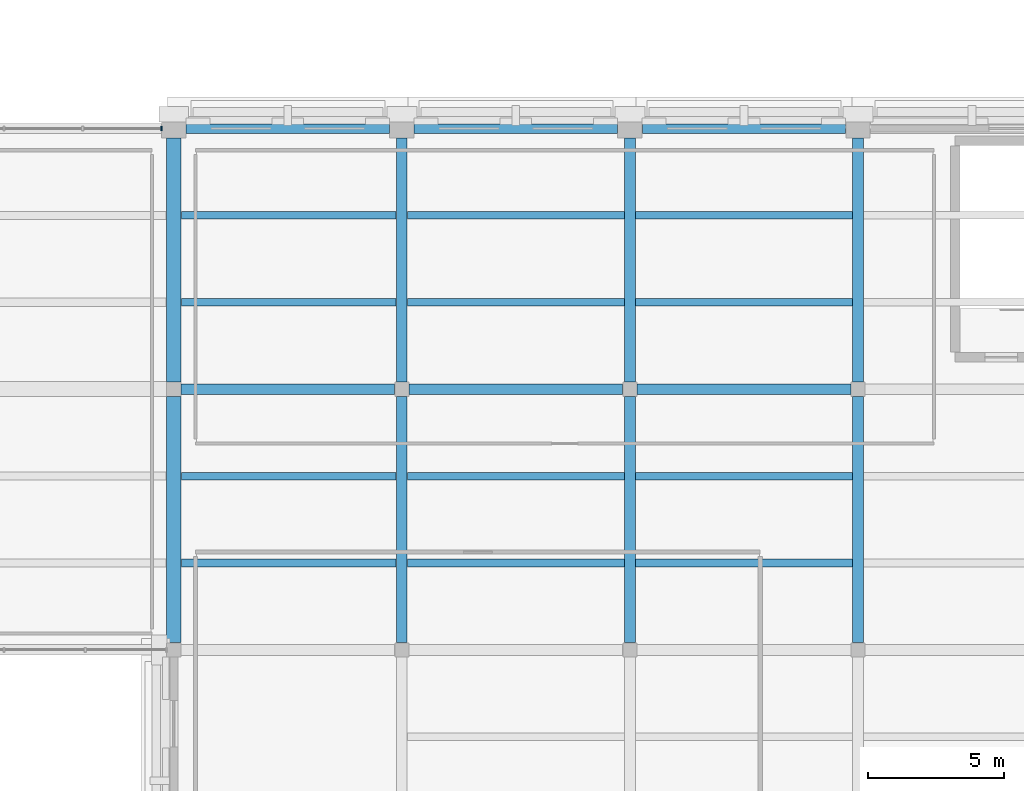
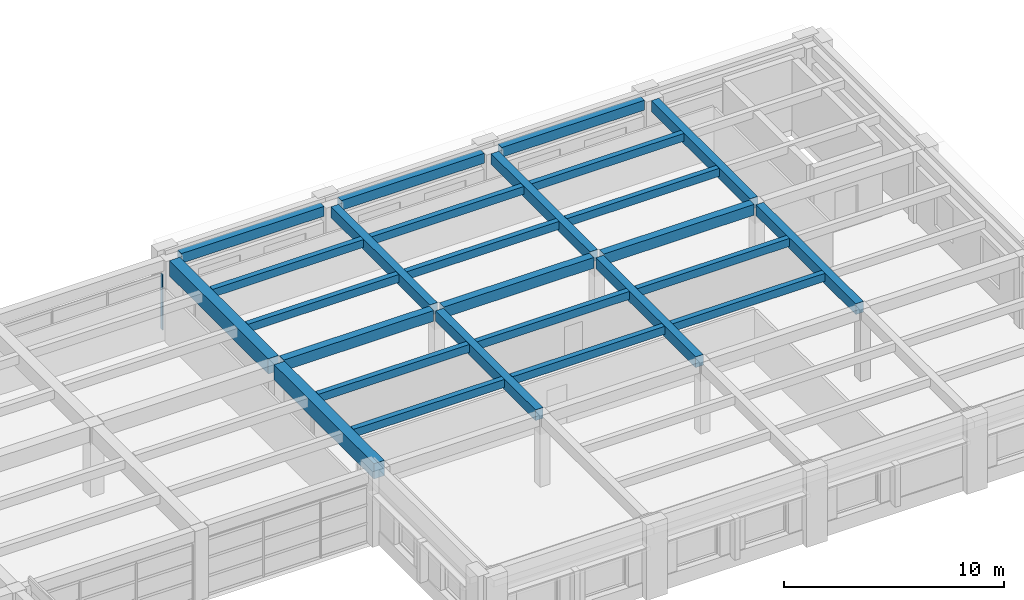
# One storey, part 28 of 62: 26 beams, 1 member, 1 element without a shape of its own.
"""IFC4 building model written with IfcOpenShell, lengths in metres."""

import ifcopenshell
import ifcopenshell.guid

model = None  # the IFC model being written
_history = None  # IfcOwnerHistory: only IFC2X3 demands one
_inside = {}  # id of a spatial element -> (the spatial element, [elements in it])
_under = {}  # id of a project, library or spatial element -> (it, [spatial elements below it])
_declared = {}  # id of a project -> (the project, [libraries it declares])
_typed = {}  # id of a type object -> (the type object, [elements of that type])
_made_of = {}  # id of a material, layer set ... -> (it, [elements and type objects made of it])


def new_model(schema):
    """Start an empty IFC model of exactly this schema.

    Asked for "IFC4X3", IfcOpenShell would pick the latest addendum, in which some entities
    have other attributes; the version numbers below select the first issue.
    IFC2X3 requires an IfcOwnerHistory on every rooted entity: one is made here for all.
    """
    global model, _history
    if schema == "IFC4X3":
        model = ifcopenshell.file(schema_version=(4, 3, 0, 0))
    else:
        model = ifcopenshell.file(schema=schema)
    _inside.clear()
    _under.clear()
    _declared.clear()
    _typed.clear()
    _made_of.clear()
    _history = None
    if model.schema == "IFC2X3":
        org = make("IfcOrganization", Name="unknown")
        user = make(
            "IfcPersonAndOrganization",
            ThePerson=make("IfcPerson", FamilyName="unknown"),
            TheOrganization=org,
        )
        app = make(
            "IfcApplication",
            ApplicationDeveloper=org,
            Version="unknown",
            ApplicationFullName="unknown",
            ApplicationIdentifier="unknown",
        )
        _history = make(
            "IfcOwnerHistory",
            OwningUser=user,
            OwningApplication=app,
            ChangeAction="ADDED",
            CreationDate=0,
        )
    return model


def make(cls, **values):
    """One entity of the class cls with the attributes given. An attribute that is None is left unset."""
    return model.create_entity(
        cls, **{name: value for name, value in values.items() if value is not None}
    )


def rooted(cls, **values):
    """An entity with a GlobalId (a new one), such as an element, a storey or a relation."""
    return make(cls, GlobalId=ifcopenshell.guid.new(), OwnerHistory=_history, **values)


def si_unit(unit_type, name, prefix=None):
    """IfcSIUnit, for example si_unit("LENGTHUNIT", "METRE", prefix="MILLI")."""
    return make("IfcSIUnit", UnitType=unit_type, Prefix=prefix, Name=name)


def assignment(units):
    """IfcUnitAssignment: the units of a project."""
    return None if units is None else make("IfcUnitAssignment", Units=units)


def point(xyz):
    """IfcCartesianPoint."""
    return None if xyz is None else make("IfcCartesianPoint", Coordinates=xyz)


def direction(xyz):
    """IfcDirection."""
    return None if xyz is None else make("IfcDirection", DirectionRatios=xyz)


def frame(location, z_axis=None, x_axis=None):
    """IfcAxis2Placement3D, a coordinate frame: its origin and axes. An axis left out is left unset."""
    return make(
        "IfcAxis2Placement3D",
        Location=point(location),
        Axis=direction(z_axis),
        RefDirection=direction(x_axis),
    )


def frame_2d(location, x_axis=None):
    """IfcAxis2Placement2D, a coordinate frame in the plane: its origin and x axis."""
    return make(
        "IfcAxis2Placement2D", Location=point(location), RefDirection=direction(x_axis)
    )


def origin():
    """The frame at (0, 0, 0) with its axes left unset."""
    return frame((0.0, 0.0, 0.0))


def origin_2d():
    """The frame at (0, 0) in the plane with its x axis left unset."""
    return frame_2d((0.0, 0.0))


def place(relative_to, where):
    """IfcLocalPlacement: puts the frame where relative to a parent placement (None: the world)."""
    return make(
        "IfcLocalPlacement", PlacementRelTo=relative_to, RelativePlacement=where
    )


def context(
    kind, dimensions, precision=None, world=None, true_north=None, identifier=None
):
    """IfcGeometricRepresentationContext, for example the 3D "Model" context."""
    return make(
        "IfcGeometricRepresentationContext",
        ContextIdentifier=identifier,
        ContextType=kind,
        CoordinateSpaceDimension=dimensions,
        Precision=precision,
        WorldCoordinateSystem=world,
        TrueNorth=true_north,
    )


def subcontext(parent, identifier, kind, view, scale=None):
    """IfcGeometricRepresentationSubContext, for example "Body" below "Model"."""
    return make(
        "IfcGeometricRepresentationSubContext",
        ContextIdentifier=identifier,
        ContextType=kind,
        ParentContext=parent,
        TargetScale=scale,
        TargetView=view,
    )


def project(units=None, contexts=None):
    """IfcProject with its units and contexts."""
    return rooted(
        "IfcProject",
        Name="project",
        RepresentationContexts=contexts,
        UnitsInContext=assignment(units),
    )


def spatial(cls, under=None, at=None, **own):
    """A site, building, storey or space (cls), placed at a placement, below another one or the project."""
    s = rooted(cls, ObjectPlacement=at, **own)
    if under is not None:
        _under.setdefault(under.id(), (under, []))[1].append(s)
    return s


def profile(cls, at=None, kind="AREA", **sizes):
    """A parametric profile (cls). Its sizes go by their IFC names, for example OverallWidth=200.0."""
    return make(cls, ProfileType=kind, Position=at, **sizes)


def rectangle(**sizes):
    """IfcRectangleProfileDef."""
    return profile("IfcRectangleProfileDef", **sizes)


def extrude(swept, where, along, depth):
    """IfcExtrudedAreaSolid: the profile swept, set in the frame where, extruded along a direction by depth."""
    return make(
        "IfcExtrudedAreaSolid",
        SweptArea=swept,
        Position=where,
        ExtrudedDirection=direction(along),
        Depth=depth,
    )


def shape(context_of_items, identifier, shape_type, items):
    """IfcShapeRepresentation: the items that make up one representation, for example the "Body"."""
    return make(
        "IfcShapeRepresentation",
        ContextOfItems=context_of_items,
        RepresentationIdentifier=identifier,
        RepresentationType=shape_type,
        Items=items,
    )


def material(Name=None, Category=None):
    """IfcMaterial."""
    return make("IfcMaterial", Name=Name, Category=Category)


def layer(
    of_material, thickness, ventilated=None, Name=None, Category=None, Priority=None
):
    """IfcMaterialLayer: one layer of a wall or slab, of a material (None: an air gap)."""
    return make(
        "IfcMaterialLayer",
        Material=of_material,
        LayerThickness=thickness,
        IsVentilated=ventilated,
        Name=Name,
        Category=Category,
        Priority=Priority,
    )


def layer_set(layers, Name=None):
    """IfcMaterialLayerSet."""
    return make("IfcMaterialLayerSet", MaterialLayers=layers, LayerSetName=Name)


def material_profile(
    of_material, cross_section, Name=None, Category=None, Priority=None
):
    """IfcMaterialProfile: a cross section and its material."""
    return make(
        "IfcMaterialProfile",
        Name=Name,
        Material=of_material,
        Profile=cross_section,
        Priority=Priority,
        Category=Category,
    )


def profile_set(profiles, Name=None, composite=None):
    """IfcMaterialProfileSet."""
    return make(
        "IfcMaterialProfileSet",
        Name=Name,
        MaterialProfiles=profiles,
        CompositeProfile=composite,
    )


def made_of(thing, what):
    """Note that an element or type object is made of a material, layer set ...; save() writes the relation."""
    if what is not None:
        _made_of.setdefault(what.id(), (what, []))[1].append(thing)
    return thing


def type_object(cls, material=None, **own):
    """A type object (cls), such as IfcWallType, which elements share."""
    return made_of(rooted(cls, **own), material)


def element(
    cls,
    number,
    at=None,
    inside=None,
    cuts=None,
    type_object=None,
    material=None,
    context=None,
    identifier="Body",
    shape_type=None,
    held_by="IfcProductDefinitionShape",
    body=None,
    shapes=None,
    **own,
):
    """One element of the class cls, such as IfcWall. Its Tag is "e" and its number.

    at: its placement. inside: the storey or other place that contains it. cuts: it is an
    opening in that element (IfcRelVoidsElement). A single representation is given by context,
    identifier, shape_type and body (its items); several are given by shapes. held_by: the class
    of the entity that holds the representations. save() writes the other relations.
    """
    e = rooted(cls, Tag="e%d" % number, ObjectPlacement=at, **own)
    if body is not None:
        shapes = [shape(context, identifier, shape_type, body)]
    if shapes is not None:
        e.Representation = make(held_by, Representations=shapes)
    if inside is not None:
        _inside.setdefault(inside.id(), (inside, []))[1].append(e)
    if cuts is not None:
        rooted(
            "IfcRelVoidsElement", RelatingBuildingElement=cuts, RelatedOpeningElement=e
        )
    if type_object is not None:
        _typed.setdefault(type_object.id(), (type_object, []))[1].append(e)
    return made_of(e, material)


def aggregate(whole, parts):
    """IfcRelAggregates: a whole, such as a stair, and the parts it consists of."""
    return rooted("IfcRelAggregates", RelatingObject=whole, RelatedObjects=parts)


def save(model, path):
    """Write the relations noted so far, then the file.

    IfcRelAggregates (storeys below a building ...), IfcRelContainedInSpatialStructure (elements
    in a storey), IfcRelDefinesByType, IfcRelAssociatesMaterial and IfcRelDeclares: one each for
    every whole, place, type object, material and project.
    """
    for whole, parts in _under.values():
        aggregate(whole, parts)
    for where, things in _inside.values():
        rooted(
            "IfcRelContainedInSpatialStructure",
            RelatedElements=things,
            RelatingStructure=where,
        )
    for kind, things in _typed.values():
        rooted("IfcRelDefinesByType", RelatedObjects=things, RelatingType=kind)
    for what, things in _made_of.values():
        rooted("IfcRelAssociatesMaterial", RelatedObjects=things, RelatingMaterial=what)
    for by, libraries in _declared.values():
        rooted("IfcRelDeclares", RelatingContext=by, RelatedDefinitions=libraries)
    model.write(path)


model = new_model("IFC4")

# Units and contexts
model_context = context("Model", 3, precision=1e-05, world=origin(), true_north=direction((0.0, 1.0)))
body_context = subcontext(model_context, "Body", "Model", "MODEL_VIEW")
ifc_project = project(units=[si_unit("LENGTHUNIT", "METRE"), si_unit("AREAUNIT", "SQUARE_METRE"), si_unit("VOLUMEUNIT", "CUBIC_METRE"), si_unit("PLANEANGLEUNIT", "RADIAN"), si_unit("MASSUNIT", "GRAM", prefix="KILO")], contexts=[model_context])

# Site, building, storey
site_placement = place(None, origin())
site = spatial("IfcSite", under=ifc_project, at=site_placement, CompositionType="ELEMENT")
building_placement = place(site_placement, origin())
building = spatial("IfcBuilding", under=site, at=building_placement, Name="Bempovik Park Faculty of Sciences", CompositionType="ELEMENT")
storey_placement = place(building_placement, frame((0.0, 0.0, 9.89990234375)))
storey = spatial("IfcBuildingStorey", under=building, at=storey_placement, Name="L02", CompositionType="ELEMENT", Elevation=9.89990234375)

# Beams
ifc_material_1 = material(Name="Concrete C35/45", Category="concrete")
ifc_material_profile_1 = material_profile(ifc_material_1, rectangle(XDim=0.39990234375, YDim=0.60009765625, at=origin_2d()), Name="RC 400x600")
ifc_profile_set_1 = profile_set([ifc_material_profile_1], Name="Concrete C35/45")
beam_type_1 = type_object("IfcBeamType", Name="B-020 RC 400x600", PredefinedType="BEAM", material=ifc_profile_set_1)
beam_1_placement = place(storey_placement, frame((137.06591796875, 77.39990234375, 3.68017578125), z_axis=(1.0, 0.0, 0.0), x_axis=(0.0, 1.0, 0.0)))
element("IfcBeam", 1, at=beam_1_placement, inside=storey, type_object=beam_type_1, Name="L02 Beam X (136.8-145.2, y=77.4)", PredefinedType="BEAM", context=body_context, shape_type="SweptSolid", body=[
    extrude(rectangle(XDim=0.39990234375, YDim=0.60009765625, at=origin_2d()), origin(), (0.0, 0.0, 1.0), 7.8681640625),
])
for number, where, z_axis, x_axis, name in (
    (2, (145.466064453125, 77.39990234375, 3.68017578125), (1.0, 0.0, 0.0), (0.0, 1.0, 0.0), "L02 Beam X (145.2-153.6, y=77.4)"),
    (3, (153.865966796875, 77.39990234375, 3.68017578125), (1.0, 0.0, 0.0), (0.0, 1.0, 0.0), "L02 Beam X (153.6-162.0, y=77.4)"),
):
    element("IfcBeam", number, at=place(storey_placement, frame(where, z_axis=z_axis, x_axis=x_axis)), inside=storey, type_object=beam_type_1, Name=name, PredefinedType="BEAM", context=body_context, shape_type="SweptSolid", body=[
        extrude(rectangle(XDim=0.39990234375, YDim=0.60009765625, at=origin_2d()), origin(), (0.0, 0.0, 1.0), 7.867919921875),
    ])
beam_2_placement = place(storey_placement, frame((145.199951171875, 68.06591796875, 3.68017578125), z_axis=(0.0, 1.0, 0.0), x_axis=(-1.0, 0.0, 0.0)))
element("IfcBeam", 4, at=beam_2_placement, inside=storey, type_object=beam_type_1, Name="L02 Beam Y (x=145.2, 67.8-77.4)", PredefinedType="BEAM", context=body_context, shape_type="SweptSolid", body=[
    extrude(rectangle(XDim=0.39990234375, YDim=0.60009765625, at=origin_2d()), origin(), (0.0, 0.0, 1.0), 9.068115234375),
])
beam_3_placement = place(storey_placement, frame((145.199951171875, 77.666015625, 3.68017578125), z_axis=(0.0, 1.0, 0.0), x_axis=(-1.0, 0.0, 0.0)))
element("IfcBeam", 5, at=beam_3_placement, inside=storey, type_object=beam_type_1, Name="L02 Beam Y (x=145.2, 77.4-87.0)", PredefinedType="BEAM", context=body_context, shape_type="SweptSolid", body=[
    extrude(rectangle(XDim=0.39990234375, YDim=0.60009765625, at=origin_2d()), origin(), (0.0, 0.0, 1.0), 8.97802734375),
])
beam_4_placement = place(storey_placement, frame((153.60009765625, 68.06591796875, 3.68017578125), z_axis=(0.0, 1.0, 0.0), x_axis=(-1.0, 0.0, 0.0)))
element("IfcBeam", 6, at=beam_4_placement, inside=storey, type_object=beam_type_1, Name="L02 Beam Y (x=153.6, 67.8-77.4)", PredefinedType="BEAM", context=body_context, shape_type="SweptSolid", body=[
    extrude(rectangle(XDim=0.39990234375, YDim=0.60009765625, at=origin_2d()), origin(), (0.0, 0.0, 1.0), 9.068115234375),
])
beam_5_placement = place(storey_placement, frame((153.60009765625, 77.666015625, 3.68017578125), z_axis=(0.0, 1.0, 0.0), x_axis=(-1.0, 0.0, 0.0)))
element("IfcBeam", 7, at=beam_5_placement, inside=storey, type_object=beam_type_1, Name="L02 Beam Y (x=153.6, 77.4-87.0)", PredefinedType="BEAM", context=body_context, shape_type="SweptSolid", body=[
    extrude(rectangle(XDim=0.39990234375, YDim=0.60009765625, at=origin_2d()), origin(), (0.0, 0.0, 1.0), 8.97802734375),
])
beam_6_placement = place(storey_placement, frame((162.0, 68.06591796875, 3.68017578125), z_axis=(0.0, 1.0, 0.0), x_axis=(-1.0, 0.0, 0.0)))
element("IfcBeam", 8, at=beam_6_placement, inside=storey, type_object=beam_type_1, Name="L02 Beam Y (x=162.0, 67.8-77.4)", PredefinedType="BEAM", context=body_context, shape_type="SweptSolid", body=[
    extrude(rectangle(XDim=0.39990234375, YDim=0.60009765625, at=origin_2d()), origin(), (0.0, 0.0, 1.0), 9.068115234375),
])
beam_7_placement = place(storey_placement, frame((162.0, 77.666015625, 3.68017578125), z_axis=(0.0, 1.0, 0.0), x_axis=(-1.0, 0.0, 0.0)))
element("IfcBeam", 9, at=beam_7_placement, inside=storey, type_object=beam_type_1, Name="L02 Beam Y (x=162.0, 77.4-87.0)", PredefinedType="BEAM", context=body_context, shape_type="SweptSolid", body=[
    extrude(rectangle(XDim=0.39990234375, YDim=0.60009765625, at=origin_2d()), origin(), (0.0, 0.0, 1.0), 8.97802734375),
])
ifc_material_profile_2 = material_profile(ifc_material_1, rectangle(XDim=0.35009765625, YDim=0.5400390625, at=origin_2d()), Name="RC 350x540")
ifc_profile_set_2 = profile_set([ifc_material_profile_2], Name="Concrete C35/45")
beam_type_2 = type_object("IfcBeamType", Name="B-059 RC 350x540", PredefinedType="SPANDREL", material=ifc_profile_set_2)
beam_8_placement = place(storey_placement, frame((137.256103515625, 87.0, 3.710205078125), z_axis=(1.0, 0.0, 0.0), x_axis=(0.0, 1.0, 0.0)))
element("IfcBeam", 10, at=beam_8_placement, inside=storey, type_object=beam_type_2, Name="L02 Beam X (136.8-145.2, y=87.0)", PredefinedType="SPANDREL", context=body_context, shape_type="SweptSolid", body=[
    extrude(rectangle(XDim=0.35009765625, YDim=0.5400390625, at=origin_2d()), origin(), (0.0, 0.0, 1.0), 7.48779296875),
])
for number, where, z_axis, x_axis, name in (
    (11, (145.656005859375, 87.0, 3.710205078125), (1.0, 0.0, 0.0), (0.0, 1.0, 0.0), "L02 Beam X (145.2-153.6, y=87.0)"),
    (12, (154.055908203125, 87.0, 3.710205078125), (1.0, 0.0, 0.0), (0.0, 1.0, 0.0), "L02 Beam X (153.6-162.0, y=87.0)"),
):
    element("IfcBeam", number, at=place(storey_placement, frame(where, z_axis=z_axis, x_axis=x_axis)), inside=storey, type_object=beam_type_2, Name=name, PredefinedType="SPANDREL", context=body_context, shape_type="SweptSolid", body=[
        extrude(rectangle(XDim=0.35009765625, YDim=0.5400390625, at=origin_2d()), origin(), (0.0, 0.0, 1.0), 7.488037109375),
    ])
ifc_material_profile_3 = material_profile(ifc_material_1, rectangle(XDim=0.280029296875, YDim=0.43994140625, at=origin_2d()), Name="RC 280x440")
ifc_profile_set_3 = profile_set([ifc_material_profile_3], Name="Concrete C35/45")
beam_type_3 = type_object("IfcBeamType", Name="B-076 RC 280x440", PredefinedType="JOIST", material=ifc_profile_set_3)
for number, where, z_axis, x_axis, name in (
    (13, (137.0810546875, 71.0, 3.760009765625), (1.0, 0.0, 0.0), (0.0, 1.0, 0.0), "L02 Secondary Joist (136.8-145.2, y=71.00)"),
    (14, (137.0810546875, 74.199951171875, 3.760009765625), (1.0, 0.0, 0.0), (0.0, 1.0, 0.0), "L02 Secondary Joist (136.8-145.2, y=74.20)"),
    (15, (137.0810546875, 80.60009765625, 3.760009765625), (1.0, 0.0, 0.0), (0.0, 1.0, 0.0), "L02 Secondary Joist (136.8-145.2, y=80.60)"),
    (16, (137.0810546875, 83.800048828125, 3.760009765625), (1.0, 0.0, 0.0), (0.0, 1.0, 0.0), "L02 Secondary Joist (136.8-145.2, y=83.80)"),
):
    element("IfcBeam", number, at=place(storey_placement, frame(where, z_axis=z_axis, x_axis=x_axis)), inside=storey, type_object=beam_type_3, Name=name, PredefinedType="JOIST", context=body_context, shape_type="SweptSolid", body=[
        extrude(rectangle(XDim=0.280029296875, YDim=0.43994140625, at=origin_2d()), origin(), (0.0, 0.0, 1.0), 7.912841796875),
    ])
for number, where, z_axis, x_axis, name in (
    (17, (145.406005859375, 71.0, 3.760009765625), (1.0, 0.0, 0.0), (0.0, 1.0, 0.0), "L02 Secondary Joist (145.2-153.6, y=71.00)"),
    (18, (145.406005859375, 74.199951171875, 3.760009765625), (1.0, 0.0, 0.0), (0.0, 1.0, 0.0), "L02 Secondary Joist (145.2-153.6, y=74.20)"),
    (19, (145.406005859375, 80.60009765625, 3.760009765625), (1.0, 0.0, 0.0), (0.0, 1.0, 0.0), "L02 Secondary Joist (145.2-153.6, y=80.60)"),
    (20, (145.406005859375, 83.800048828125, 3.760009765625), (1.0, 0.0, 0.0), (0.0, 1.0, 0.0), "L02 Secondary Joist (145.2-153.6, y=83.80)"),
    (21, (153.805908203125, 71.0, 3.760009765625), (1.0, 0.0, 0.0), (0.0, 1.0, 0.0), "L02 Secondary Joist (153.6-162.0, y=71.00)"),
    (22, (153.805908203125, 74.199951171875, 3.760009765625), (1.0, 0.0, 0.0), (0.0, 1.0, 0.0), "L02 Secondary Joist (153.6-162.0, y=74.20)"),
    (23, (153.805908203125, 80.60009765625, 3.760009765625), (1.0, 0.0, 0.0), (0.0, 1.0, 0.0), "L02 Secondary Joist (153.6-162.0, y=80.60)"),
    (24, (153.805908203125, 83.800048828125, 3.760009765625), (1.0, 0.0, 0.0), (0.0, 1.0, 0.0), "L02 Secondary Joist (153.6-162.0, y=83.80)"),
):
    element("IfcBeam", number, at=place(storey_placement, frame(where, z_axis=z_axis, x_axis=x_axis)), inside=storey, type_object=beam_type_3, Name=name, PredefinedType="JOIST", context=body_context, shape_type="SweptSolid", body=[
        extrude(rectangle(XDim=0.280029296875, YDim=0.43994140625, at=origin_2d()), origin(), (0.0, 0.0, 1.0), 7.988037109375),
    ])
ifc_material_2 = material(Name="Concrete C40/50", Category="concrete")
ifc_material_profile_4 = material_profile(ifc_material_2, rectangle(XDim=0.550048828125, YDim=0.85009765625, at=origin_2d()), Name="RC 550x850")
ifc_profile_set_4 = profile_set([ifc_material_profile_4], Name="Concrete C40/50")
beam_type_4 = type_object("IfcBeamType", Name="B-080 RC 550x850", PredefinedType="BEAM", material=ifc_profile_set_4)
beam_9_placement = place(storey_placement, frame((136.800048828125, 68.06591796875, 3.53515625), z_axis=(0.0, 1.0, 0.0), x_axis=(-1.0, 0.0, 0.0)))
element("IfcBeam", 25, at=beam_9_placement, inside=storey, type_object=beam_type_4, Name="L02 Beam Y (x=136.8, 67.8-77.4)", PredefinedType="BEAM", context=body_context, shape_type="SweptSolid", body=[
    extrude(rectangle(XDim=0.550048828125, YDim=0.85009765625, at=origin_2d()), origin(), (0.0, 0.0, 1.0), 9.068115234375),
])
beam_10_placement = place(storey_placement, frame((136.800048828125, 77.666015625, 3.53515625), z_axis=(0.0, 1.0, 0.0), x_axis=(-1.0, 0.0, 0.0)))
element("IfcBeam", 26, at=beam_10_placement, inside=storey, type_object=beam_type_4, Name="L02 Beam Y (x=136.8, 77.4-87.0)", PredefinedType="BEAM", context=body_context, shape_type="SweptSolid", body=[
    extrude(rectangle(XDim=0.550048828125, YDim=0.85009765625, at=origin_2d()), origin(), (0.0, 0.0, 1.0), 8.97802734375),
])

# Curtain wall, member
ifc_material_3 = material(Name="Tempered laminated low-E glass", Category="glass")
ifc_layer = layer(ifc_material_3, 0.159912109375)
ifc_layer_set = layer_set([ifc_layer], Name="Tempered laminated low-E glass")
curtain_wall_type = type_object("IfcCurtainWallType", Name="CW-41 Curtain 6600x3800", PredefinedType="USERDEFINED", material=ifc_layer_set)
curtain_wall_placement = place(storey_placement, origin())
curtain_wall = element("IfcCurtainWall", 27, at=curtain_wall_placement, inside=storey, type_object=curtain_wall_type, Name="L02 Unitised Curtain Wall (87.0,127.2)", ObjectType="UNITISED CURTAIN WALL", PredefinedType="USERDEFINED")
ifc_material_4 = material(Name="Anodised architectural bronze", Category="aluminium")
ifc_material_profile_5 = material_profile(ifc_material_4, rectangle(XDim=0.06494140625, YDim=0.169921875, at=origin_2d()), Name="ALU-M 65x170")
ifc_profile_set_5 = profile_set([ifc_material_profile_5], Name="Anodised architectural bronze")
member_type = type_object("IfcMemberType", Name="ML-15 ALU-M 65x170", PredefinedType="MULLION", material=ifc_profile_set_5)
member_placement = place(storey_placement, frame((136.347900390625, 87.0, 0.0), z_axis=(0.0, 0.0, 1.0), x_axis=(1.0, 0.0, 0.0)))
member = element("IfcMember", 28, at=member_placement, type_object=member_type, Name="CW-BAY-L02-870-1272 Mullion 3", PredefinedType="MULLION", context=body_context, shape_type="SweptSolid", body=[
    extrude(rectangle(XDim=0.06494140625, YDim=0.169921875, at=origin_2d()), origin(), (0.0, 0.0, 1.0), 3.080078125),
])
aggregate(curtain_wall, [member])

save(model, "model.ifc")
